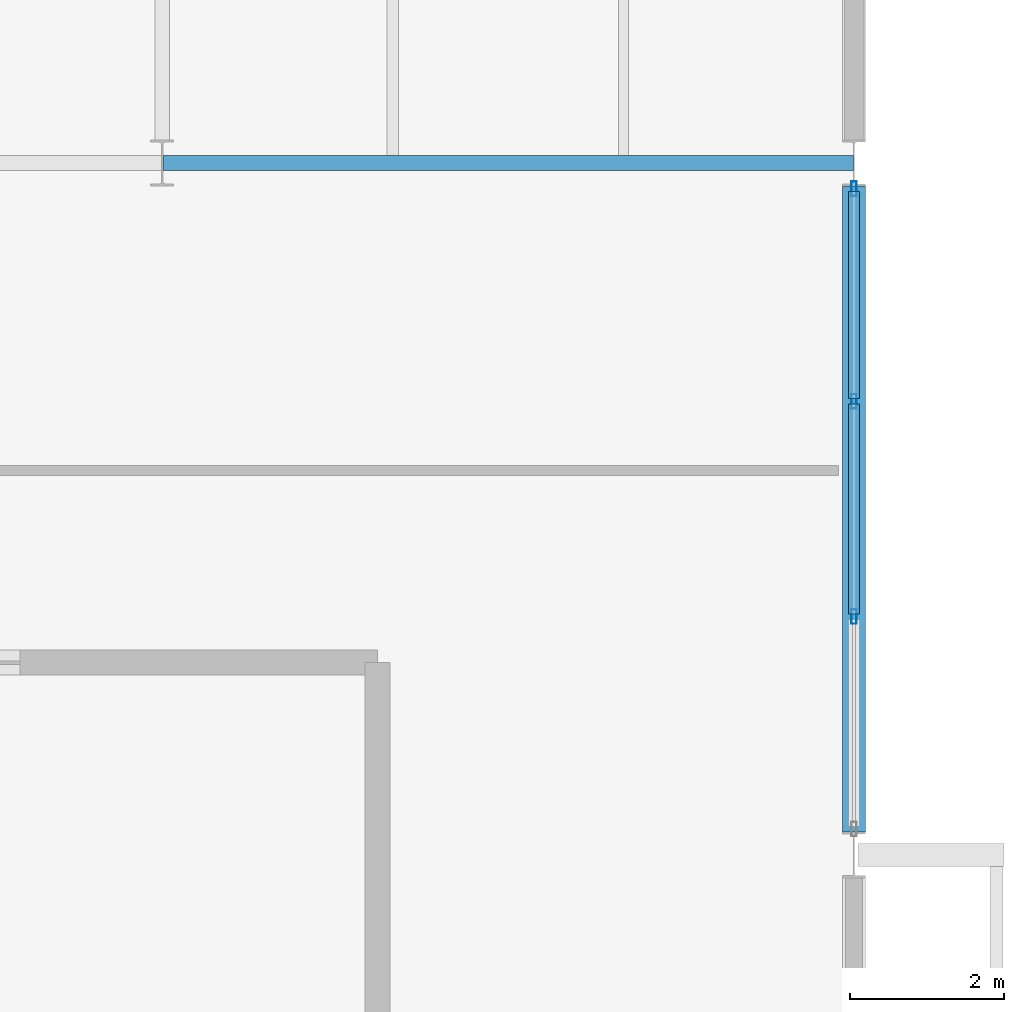
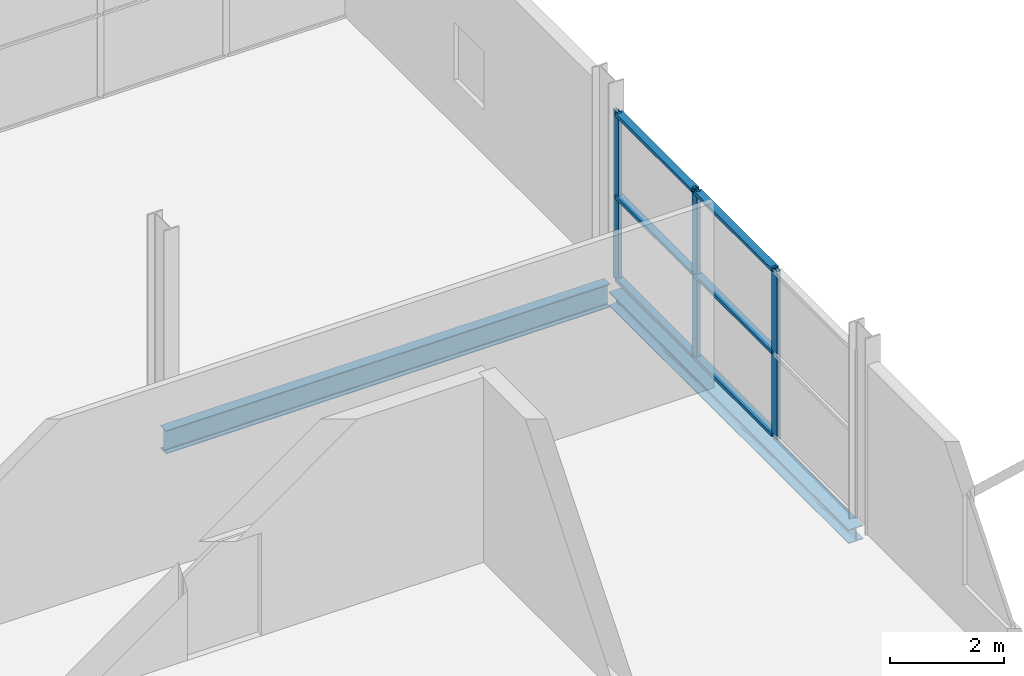
# One storey, part 43 of 59: 9 members, 2 beams, 1 element without a shape of its own.
"""IFC4 building model written with IfcOpenShell, lengths in metres."""

from ifc_helpers import new_model, si_unit, direction, frame, origin, origin_2d, place, context, subcontext, project, spatial, hollow_rectangle, i_section, extrude, material, layer, layer_set, material_profile, profile_set, type_object, element, aggregate, save


model = new_model("IFC4")

# Units and contexts
model_context = context("Model", 3, precision=1e-05, world=origin(), true_north=direction((0.0, 1.0)))
body_context = subcontext(model_context, "Body", "Model", "MODEL_VIEW")
ifc_project = project(units=[si_unit("LENGTHUNIT", "METRE"), si_unit("AREAUNIT", "SQUARE_METRE"), si_unit("VOLUMEUNIT", "CUBIC_METRE"), si_unit("PLANEANGLEUNIT", "RADIAN"), si_unit("MASSUNIT", "GRAM", prefix="KILO")], contexts=[model_context])

# Site, building, storey
site_placement = place(None, origin())
site = spatial("IfcSite", under=ifc_project, at=site_placement, CompositionType="ELEMENT")
building_placement = place(site_placement, origin())
building = spatial("IfcBuilding", under=site, at=building_placement, Name="Deido Ridge Mobility Hub", CompositionType="ELEMENT")
storey_placement = place(building_placement, frame((0.0, 0.0, 21.0)))
storey = spatial("IfcBuildingStorey", under=building, at=storey_placement, Name="L05", CompositionType="ELEMENT", Elevation=21.0)

# Beam
ifc_material_1 = material(Name="Steel S355J2 EN 10025-2", Category="steel")
ifc_material_profile_1 = material_profile(ifc_material_1, i_section(OverallWidth=0.199951171875, OverallDepth=0.5, WebThickness=0.01025390625, FlangeThickness=0.01611328125, FilletRadius=0.02099609375, at=origin_2d()), Name="IPE 500")
ifc_profile_set_1 = profile_set([ifc_material_profile_1], Name="Steel S355J2 EN 10025-2")
beam_type_1 = type_object("IfcBeamType", Name="BM-IPE500", PredefinedType="BEAM", material=ifc_profile_set_1)
beam_1_placement = place(storey_placement, frame((171.0078125, 54.0, -0.4951171875), z_axis=(1.0, 0.0, 0.0), x_axis=(0.0, 1.0, 0.0)))
element("IfcBeam", 1, at=beam_1_placement, inside=storey, type_object=beam_type_1, Name="Floor beam B3", PredefinedType="BEAM", context=body_context, shape_type="SweptSolid", body=[
    extrude(i_section(OverallWidth=0.199951171875, OverallDepth=0.5, WebThickness=0.01025390625, FlangeThickness=0.01611328125, FilletRadius=0.02099609375, at=origin_2d()), origin(), (0.0, 0.0, 1.0), 8.984375),
])

# Curtain wall, members
ifc_material_2 = material(Name="Anodised aluminium EN AW-6063 T6", Category="aluminium")
ifc_layer = layer(ifc_material_2, 0.22509765625, Name="Anodised aluminium EN AW-6063 T6")
ifc_layer_set = layer_set([ifc_layer], Name="Anodised aluminium EN AW-6063 T6")
curtain_wall_type = type_object("IfcCurtainWallType", Name="CW-UF-5", PredefinedType="USERDEFINED", material=ifc_layer_set)
curtain_wall_placement = place(storey_placement, origin())
curtain_wall = element("IfcCurtainWall", 2, at=curtain_wall_placement, inside=storey, type_object=curtain_wall_type, Name="Unitised curtain wall CW5", ObjectType="UNITISED FACADE", PredefinedType="USERDEFINED")
ifc_material_profile_2 = material_profile(ifc_material_2, hollow_rectangle(XDim=0.070068359375, YDim=0.18994140625, WallThickness=0.00390625, at=origin_2d()), Name="RHS 70x190x4")
ifc_profile_set_2 = profile_set([ifc_material_profile_2], Name="Anodised aluminium EN AW-6063 T6")
member_type_1 = type_object("IfcMemberType", Name="MEM-MUL-70X190", PredefinedType="MULLION", material=ifc_profile_set_2)
member_1_placement = place(storey_placement, frame((180.0, 48.10009765625, 0.0), z_axis=(0.0, 0.0, 1.0), x_axis=(-1.0, 0.0, 0.0)))
member_1 = element("IfcMember", 3, at=member_1_placement, type_object=member_type_1, Name="CW5 mullion 2", PredefinedType="MULLION", context=body_context, shape_type="SweptSolid", body=[
    extrude(hollow_rectangle(XDim=0.070068359375, YDim=0.18994140625, WallThickness=0.00390625, at=origin_2d()), origin(), (0.0, 0.0, 1.0), 3.60009765625),
])
member_2_placement = place(storey_placement, frame((180.0, 50.89990234375, 0.0), z_axis=(0.0, 0.0, 1.0), x_axis=(-1.0, 0.0, 0.0)))
member_2 = element("IfcMember", 4, at=member_2_placement, type_object=member_type_1, Name="CW5 mullion 3", PredefinedType="MULLION", context=body_context, shape_type="SweptSolid", body=[
    extrude(hollow_rectangle(XDim=0.070068359375, YDim=0.18994140625, WallThickness=0.00390625, at=origin_2d()), origin(), (0.0, 0.0, 1.0), 3.60009765625),
])
member_3_placement = place(storey_placement, frame((180.0, 53.6650390625, 0.0), z_axis=(0.0, 0.0, 1.0), x_axis=(-1.0, 0.0, 0.0)))
member_3 = element("IfcMember", 5, at=member_3_placement, type_object=member_type_1, Name="CW5 mullion 4", PredefinedType="MULLION", context=body_context, shape_type="SweptSolid", body=[
    extrude(hollow_rectangle(XDim=0.070068359375, YDim=0.18994140625, WallThickness=0.00390625, at=origin_2d()), origin(), (0.0, 0.0, 1.0), 3.60009765625),
])
ifc_material_profile_3 = material_profile(ifc_material_2, hollow_rectangle(XDim=0.14501953125, YDim=0.070068359375, WallThickness=0.00390625, at=origin_2d()), Name="RHS 145x70x4")
ifc_profile_set_3 = profile_set([ifc_material_profile_3], Name="Anodised aluminium EN AW-6063 T6")
member_type_2 = type_object("IfcMemberType", Name="MEM-TRN-145X70", PredefinedType="USERDEFINED", material=ifc_profile_set_3)
member_4_placement = place(storey_placement, frame((180.0, 48.135009765625, 0.034912109375), z_axis=(0.0, 1.0, 0.0), x_axis=(-1.0, 0.0, 0.0)))
member_4 = element("IfcMember", 6, at=member_4_placement, type_object=member_type_2, Name="CW5 transom 2.1", ObjectType="TRANSOM", PredefinedType="USERDEFINED", context=body_context, shape_type="SweptSolid", body=[
    extrude(hollow_rectangle(XDim=0.14501953125, YDim=0.070068359375, WallThickness=0.00390625, at=origin_2d()), origin(), (0.0, 0.0, 1.0), 2.72998046875),
])
member_5_placement = place(storey_placement, frame((180.0, 48.135009765625, 1.800048828125), z_axis=(0.0, 1.0, 0.0), x_axis=(-1.0, 0.0, 0.0)))
member_5 = element("IfcMember", 7, at=member_5_placement, type_object=member_type_2, Name="CW5 transom 2.2", ObjectType="TRANSOM", PredefinedType="USERDEFINED", context=body_context, shape_type="SweptSolid", body=[
    extrude(hollow_rectangle(XDim=0.14501953125, YDim=0.070068359375, WallThickness=0.00390625, at=origin_2d()), origin(), (0.0, 0.0, 1.0), 2.72998046875),
])
member_6_placement = place(storey_placement, frame((180.0, 48.135009765625, 3.56494140625), z_axis=(0.0, 1.0, 0.0), x_axis=(-1.0, 0.0, 0.0)))
member_6 = element("IfcMember", 8, at=member_6_placement, type_object=member_type_2, Name="CW5 transom 2.3", ObjectType="TRANSOM", PredefinedType="USERDEFINED", context=body_context, shape_type="SweptSolid", body=[
    extrude(hollow_rectangle(XDim=0.14501953125, YDim=0.070068359375, WallThickness=0.00390625, at=origin_2d()), origin(), (0.0, 0.0, 1.0), 2.72998046875),
])
member_7_placement = place(storey_placement, frame((180.0, 50.93505859375, 0.034912109375), z_axis=(0.0, 1.0, 0.0), x_axis=(-1.0, 0.0, 0.0)))
member_7 = element("IfcMember", 9, at=member_7_placement, type_object=member_type_2, Name="CW5 transom 3.1", ObjectType="TRANSOM", PredefinedType="USERDEFINED", context=body_context, shape_type="SweptSolid", body=[
    extrude(hollow_rectangle(XDim=0.14501953125, YDim=0.070068359375, WallThickness=0.00390625, at=origin_2d()), origin(), (0.0, 0.0, 1.0), 2.69482421875),
])
member_8_placement = place(storey_placement, frame((180.0, 50.93505859375, 1.800048828125), z_axis=(0.0, 1.0, 0.0), x_axis=(-1.0, 0.0, 0.0)))
member_8 = element("IfcMember", 10, at=member_8_placement, type_object=member_type_2, Name="CW5 transom 3.2", ObjectType="TRANSOM", PredefinedType="USERDEFINED", context=body_context, shape_type="SweptSolid", body=[
    extrude(hollow_rectangle(XDim=0.14501953125, YDim=0.070068359375, WallThickness=0.00390625, at=origin_2d()), origin(), (0.0, 0.0, 1.0), 2.69482421875),
])
member_9_placement = place(storey_placement, frame((180.0, 50.93505859375, 3.56494140625), z_axis=(0.0, 1.0, 0.0), x_axis=(-1.0, 0.0, 0.0)))
member_9 = element("IfcMember", 11, at=member_9_placement, type_object=member_type_2, Name="CW5 transom 3.3", ObjectType="TRANSOM", PredefinedType="USERDEFINED", context=body_context, shape_type="SweptSolid", body=[
    extrude(hollow_rectangle(XDim=0.14501953125, YDim=0.070068359375, WallThickness=0.00390625, at=origin_2d()), origin(), (0.0, 0.0, 1.0), 2.69482421875),
])
aggregate(curtain_wall, [member_1, member_2, member_3, member_4, member_5, member_6, member_7, member_8, member_9])

# Beam
ifc_material_profile_4 = material_profile(ifc_material_1, i_section(OverallWidth=0.300048828125, OverallDepth=0.300048828125, WebThickness=0.010986328125, FlangeThickness=0.01904296875, FilletRadius=0.027099609375, at=origin_2d()), Name="HEB 300")
ifc_profile_set_4 = profile_set([ifc_material_profile_4], Name="Steel S355J2 EN 10025-2")
beam_type_2 = type_object("IfcBeamType", Name="SPD-HEB300", PredefinedType="SPANDREL", material=ifc_profile_set_4)
beam_2_placement = place(storey_placement, frame((180.0, 45.300048828125, -0.39501953125), z_axis=(0.0, 1.0, 0.0), x_axis=(-1.0, 0.0, 0.0)))
element("IfcBeam", 12, at=beam_2_placement, inside=storey, type_object=beam_type_2, Name="Floor beam SP1", PredefinedType="SPANDREL", context=body_context, shape_type="SweptSolid", body=[
    extrude(i_section(OverallWidth=0.300048828125, OverallDepth=0.300048828125, WebThickness=0.010986328125, FlangeThickness=0.01904296875, FilletRadius=0.027099609375, at=origin_2d()), origin(), (0.0, 0.0, 1.0), 8.39990234375),
])

save(model, "model.ifc")
